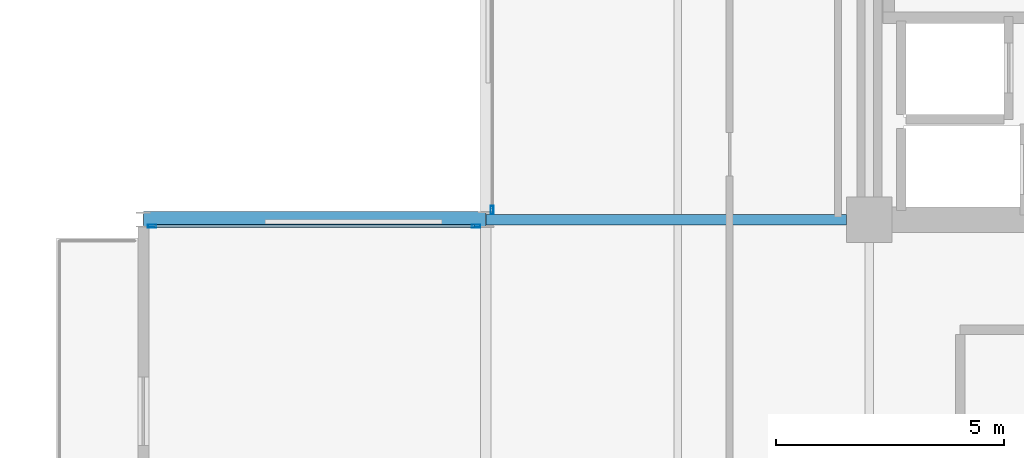
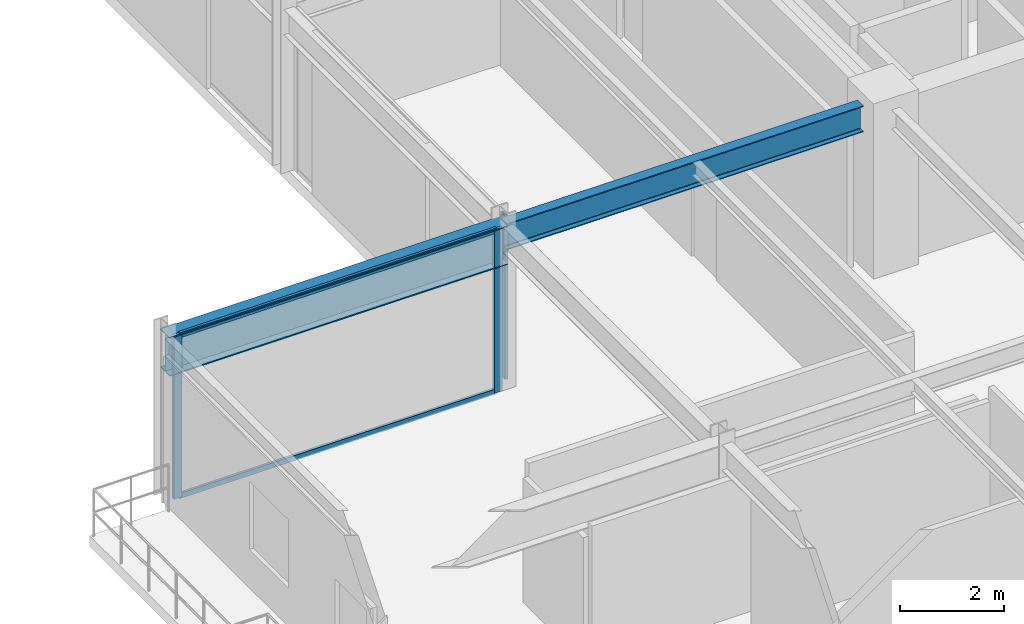
# One storey, part 9 of 29: 5 members, 2 beams, 2 elements without a shape of their own.
"""IFC4 building model written with IfcOpenShell, lengths in metres."""

import ifcopenshell
import ifcopenshell.guid

model = None  # the IFC model being written
_history = None  # IfcOwnerHistory: only IFC2X3 demands one
_inside = {}  # id of a spatial element -> (the spatial element, [elements in it])
_under = {}  # id of a project, library or spatial element -> (it, [spatial elements below it])
_declared = {}  # id of a project -> (the project, [libraries it declares])
_typed = {}  # id of a type object -> (the type object, [elements of that type])
_made_of = {}  # id of a material, layer set ... -> (it, [elements and type objects made of it])


def new_model(schema):
    """Start an empty IFC model of exactly this schema.

    Asked for "IFC4X3", IfcOpenShell would pick the latest addendum, in which some entities
    have other attributes; the version numbers below select the first issue.
    IFC2X3 requires an IfcOwnerHistory on every rooted entity: one is made here for all.
    """
    global model, _history
    if schema == "IFC4X3":
        model = ifcopenshell.file(schema_version=(4, 3, 0, 0))
    else:
        model = ifcopenshell.file(schema=schema)
    _inside.clear()
    _under.clear()
    _declared.clear()
    _typed.clear()
    _made_of.clear()
    _history = None
    if model.schema == "IFC2X3":
        org = make("IfcOrganization", Name="unknown")
        user = make(
            "IfcPersonAndOrganization",
            ThePerson=make("IfcPerson", FamilyName="unknown"),
            TheOrganization=org,
        )
        app = make(
            "IfcApplication",
            ApplicationDeveloper=org,
            Version="unknown",
            ApplicationFullName="unknown",
            ApplicationIdentifier="unknown",
        )
        _history = make(
            "IfcOwnerHistory",
            OwningUser=user,
            OwningApplication=app,
            ChangeAction="ADDED",
            CreationDate=0,
        )
    return model


def make(cls, **values):
    """One entity of the class cls with the attributes given. An attribute that is None is left unset."""
    return model.create_entity(
        cls, **{name: value for name, value in values.items() if value is not None}
    )


def rooted(cls, **values):
    """An entity with a GlobalId (a new one), such as an element, a storey or a relation."""
    return make(cls, GlobalId=ifcopenshell.guid.new(), OwnerHistory=_history, **values)


def si_unit(unit_type, name, prefix=None):
    """IfcSIUnit, for example si_unit("LENGTHUNIT", "METRE", prefix="MILLI")."""
    return make("IfcSIUnit", UnitType=unit_type, Prefix=prefix, Name=name)


def assignment(units):
    """IfcUnitAssignment: the units of a project."""
    return None if units is None else make("IfcUnitAssignment", Units=units)


def point(xyz):
    """IfcCartesianPoint."""
    return None if xyz is None else make("IfcCartesianPoint", Coordinates=xyz)


def direction(xyz):
    """IfcDirection."""
    return None if xyz is None else make("IfcDirection", DirectionRatios=xyz)


def frame(location, z_axis=None, x_axis=None):
    """IfcAxis2Placement3D, a coordinate frame: its origin and axes. An axis left out is left unset."""
    return make(
        "IfcAxis2Placement3D",
        Location=point(location),
        Axis=direction(z_axis),
        RefDirection=direction(x_axis),
    )


def frame_2d(location, x_axis=None):
    """IfcAxis2Placement2D, a coordinate frame in the plane: its origin and x axis."""
    return make(
        "IfcAxis2Placement2D", Location=point(location), RefDirection=direction(x_axis)
    )


def origin():
    """The frame at (0, 0, 0) with its axes left unset."""
    return frame((0.0, 0.0, 0.0))


def origin_2d():
    """The frame at (0, 0) in the plane with its x axis left unset."""
    return frame_2d((0.0, 0.0))


def place(relative_to, where):
    """IfcLocalPlacement: puts the frame where relative to a parent placement (None: the world)."""
    return make(
        "IfcLocalPlacement", PlacementRelTo=relative_to, RelativePlacement=where
    )


def context(
    kind, dimensions, precision=None, world=None, true_north=None, identifier=None
):
    """IfcGeometricRepresentationContext, for example the 3D "Model" context."""
    return make(
        "IfcGeometricRepresentationContext",
        ContextIdentifier=identifier,
        ContextType=kind,
        CoordinateSpaceDimension=dimensions,
        Precision=precision,
        WorldCoordinateSystem=world,
        TrueNorth=true_north,
    )


def subcontext(parent, identifier, kind, view, scale=None):
    """IfcGeometricRepresentationSubContext, for example "Body" below "Model"."""
    return make(
        "IfcGeometricRepresentationSubContext",
        ContextIdentifier=identifier,
        ContextType=kind,
        ParentContext=parent,
        TargetScale=scale,
        TargetView=view,
    )


def project(units=None, contexts=None):
    """IfcProject with its units and contexts."""
    return rooted(
        "IfcProject",
        Name="project",
        RepresentationContexts=contexts,
        UnitsInContext=assignment(units),
    )


def spatial(cls, under=None, at=None, **own):
    """A site, building, storey or space (cls), placed at a placement, below another one or the project."""
    s = rooted(cls, ObjectPlacement=at, **own)
    if under is not None:
        _under.setdefault(under.id(), (under, []))[1].append(s)
    return s


def profile(cls, at=None, kind="AREA", **sizes):
    """A parametric profile (cls). Its sizes go by their IFC names, for example OverallWidth=200.0."""
    return make(cls, ProfileType=kind, Position=at, **sizes)


def hollow_rectangle(**sizes):
    """IfcRectangleHollowProfileDef."""
    return profile("IfcRectangleHollowProfileDef", **sizes)


def i_section(**sizes):
    """IfcIShapeProfileDef."""
    return profile("IfcIShapeProfileDef", **sizes)


def extrude(swept, where, along, depth):
    """IfcExtrudedAreaSolid: the profile swept, set in the frame where, extruded along a direction by depth."""
    return make(
        "IfcExtrudedAreaSolid",
        SweptArea=swept,
        Position=where,
        ExtrudedDirection=direction(along),
        Depth=depth,
    )


def shape(context_of_items, identifier, shape_type, items):
    """IfcShapeRepresentation: the items that make up one representation, for example the "Body"."""
    return make(
        "IfcShapeRepresentation",
        ContextOfItems=context_of_items,
        RepresentationIdentifier=identifier,
        RepresentationType=shape_type,
        Items=items,
    )


def material(Name=None, Category=None):
    """IfcMaterial."""
    return make("IfcMaterial", Name=Name, Category=Category)


def layer(
    of_material, thickness, ventilated=None, Name=None, Category=None, Priority=None
):
    """IfcMaterialLayer: one layer of a wall or slab, of a material (None: an air gap)."""
    return make(
        "IfcMaterialLayer",
        Material=of_material,
        LayerThickness=thickness,
        IsVentilated=ventilated,
        Name=Name,
        Category=Category,
        Priority=Priority,
    )


def layer_set(layers, Name=None):
    """IfcMaterialLayerSet."""
    return make("IfcMaterialLayerSet", MaterialLayers=layers, LayerSetName=Name)


def material_profile(
    of_material, cross_section, Name=None, Category=None, Priority=None
):
    """IfcMaterialProfile: a cross section and its material."""
    return make(
        "IfcMaterialProfile",
        Name=Name,
        Material=of_material,
        Profile=cross_section,
        Priority=Priority,
        Category=Category,
    )


def profile_set(profiles, Name=None, composite=None):
    """IfcMaterialProfileSet."""
    return make(
        "IfcMaterialProfileSet",
        Name=Name,
        MaterialProfiles=profiles,
        CompositeProfile=composite,
    )


def made_of(thing, what):
    """Note that an element or type object is made of a material, layer set ...; save() writes the relation."""
    if what is not None:
        _made_of.setdefault(what.id(), (what, []))[1].append(thing)
    return thing


def type_object(cls, material=None, **own):
    """A type object (cls), such as IfcWallType, which elements share."""
    return made_of(rooted(cls, **own), material)


def element(
    cls,
    number,
    at=None,
    inside=None,
    cuts=None,
    type_object=None,
    material=None,
    context=None,
    identifier="Body",
    shape_type=None,
    held_by="IfcProductDefinitionShape",
    body=None,
    shapes=None,
    **own,
):
    """One element of the class cls, such as IfcWall. Its Tag is "e" and its number.

    at: its placement. inside: the storey or other place that contains it. cuts: it is an
    opening in that element (IfcRelVoidsElement). A single representation is given by context,
    identifier, shape_type and body (its items); several are given by shapes. held_by: the class
    of the entity that holds the representations. save() writes the other relations.
    """
    e = rooted(cls, Tag="e%d" % number, ObjectPlacement=at, **own)
    if body is not None:
        shapes = [shape(context, identifier, shape_type, body)]
    if shapes is not None:
        e.Representation = make(held_by, Representations=shapes)
    if inside is not None:
        _inside.setdefault(inside.id(), (inside, []))[1].append(e)
    if cuts is not None:
        rooted(
            "IfcRelVoidsElement", RelatingBuildingElement=cuts, RelatedOpeningElement=e
        )
    if type_object is not None:
        _typed.setdefault(type_object.id(), (type_object, []))[1].append(e)
    return made_of(e, material)


def aggregate(whole, parts):
    """IfcRelAggregates: a whole, such as a stair, and the parts it consists of."""
    return rooted("IfcRelAggregates", RelatingObject=whole, RelatedObjects=parts)


def save(model, path):
    """Write the relations noted so far, then the file.

    IfcRelAggregates (storeys below a building ...), IfcRelContainedInSpatialStructure (elements
    in a storey), IfcRelDefinesByType, IfcRelAssociatesMaterial and IfcRelDeclares: one each for
    every whole, place, type object, material and project.
    """
    for whole, parts in _under.values():
        aggregate(whole, parts)
    for where, things in _inside.values():
        rooted(
            "IfcRelContainedInSpatialStructure",
            RelatedElements=things,
            RelatingStructure=where,
        )
    for kind, things in _typed.values():
        rooted("IfcRelDefinesByType", RelatedObjects=things, RelatingType=kind)
    for what, things in _made_of.values():
        rooted("IfcRelAssociatesMaterial", RelatedObjects=things, RelatingMaterial=what)
    for by, libraries in _declared.values():
        rooted("IfcRelDeclares", RelatingContext=by, RelatedDefinitions=libraries)
    model.write(path)


model = new_model("IFC4")

# Units and contexts
model_context = context("Model", 3, precision=1e-05, world=origin(), true_north=direction((0.0, 1.0)))
body_context = subcontext(model_context, "Body", "Model", "MODEL_VIEW")
ifc_project = project(units=[si_unit("LENGTHUNIT", "METRE"), si_unit("AREAUNIT", "SQUARE_METRE"), si_unit("VOLUMEUNIT", "CUBIC_METRE"), si_unit("PLANEANGLEUNIT", "RADIAN"), si_unit("MASSUNIT", "GRAM", prefix="KILO")], contexts=[model_context])

# Site, building, storey
site_placement = place(None, origin())
site = spatial("IfcSite", under=ifc_project, at=site_placement, CompositionType="ELEMENT")
building_placement = place(site_placement, origin())
building = spatial("IfcBuilding", under=site, at=building_placement, Name="Nerrivon Quay Data Exchange", CompositionType="ELEMENT")
storey_placement = place(building_placement, frame((0.0, 0.0, 175.5)))
storey = spatial("IfcBuildingStorey", under=building, at=storey_placement, Name="L41", CompositionType="ELEMENT", Elevation=175.5)

# Beams
ifc_material_1 = material(Name="Steel Grade 350", Category="steel")
ifc_material_profile_1 = material_profile(ifc_material_1, i_section(OverallWidth=0.35009765625, OverallDepth=0.909912109375, WebThickness=0.011962890625, FlangeThickness=0.02490234375, at=origin_2d()), Name="900WB218")
ifc_profile_set_1 = profile_set([ifc_material_profile_1], Name="Steel Grade 350")
beam_type_1 = type_object("IfcBeamType", Name="BM-CANT-900WB", PredefinedType="USERDEFINED", material=ifc_profile_set_1)
beam_1_placement = place(storey_placement, frame((-0.010009765625, 25.199951171875, 3.3701171875), z_axis=(-1.0, 0.0, 0.0), x_axis=(0.0, -1.0, 0.0)))
element("IfcBeam", 1, at=beam_1_placement, inside=storey, type_object=beam_type_1, Name="L41 West Hooked Cantilever Girder Y=25.2", ObjectType="TRANSFER", PredefinedType="USERDEFINED", context=body_context, shape_type="SweptSolid", body=[
    extrude(i_section(OverallWidth=0.35009765625, OverallDepth=0.909912109375, WebThickness=0.011962890625, FlangeThickness=0.02490234375, at=origin_2d()), origin(), (0.0, 0.0, 1.0), 7.482177734375),
])
ifc_material_profile_2 = material_profile(ifc_material_1, i_section(OverallWidth=0.22900390625, OverallDepth=0.612060546875, WebThickness=0.011962890625, FlangeThickness=0.01953125, FilletRadius=0.013916015625, at=origin_2d()), Name="610UB125")
ifc_profile_set_2 = profile_set([ifc_material_profile_2], Name="Steel Grade 350")
beam_type_2 = type_object("IfcBeamType", Name="BM-G1-610UB125", PredefinedType="BEAM", material=ifc_profile_set_2)
beam_2_placement = place(storey_placement, frame((0.010009765625, 25.199951171875, 3.51904296875), z_axis=(1.0, 0.0, 0.0), x_axis=(0.0, 1.0, 0.0)))
element("IfcBeam", 2, at=beam_2_placement, inside=storey, type_object=beam_type_2, Name="L41 EW Girder Y=25.2 (0.0..8.4)", PredefinedType="BEAM", context=body_context, shape_type="SweptSolid", body=[
    extrude(i_section(OverallWidth=0.22900390625, OverallDepth=0.612060546875, WebThickness=0.011962890625, FlangeThickness=0.01953125, FilletRadius=0.013916015625, at=origin_2d()), origin(), (0.0, 0.0, 1.0), 7.889892578125),
])

# Curtain wall, members
ifc_material_2 = material(Name="Anodised aluminium 6063-T6", Category="aluminium")
ifc_layer_1 = layer(ifc_material_2, 0.199951171875)
ifc_layer_set_1 = layer_set([ifc_layer_1], Name="Anodised aluminium 6063-T6")
curtain_wall_type_1 = type_object("IfcCurtainWallType", Name="CW-SYS-04", PredefinedType="NOTDEFINED", material=ifc_layer_set_1)
curtain_wall_1_placement = place(storey_placement, origin())
curtain_wall_1 = element("IfcCurtainWall", 3, at=curtain_wall_1_placement, inside=storey, type_object=curtain_wall_type_1, Name="L41 Unitised Curtain Wall 3", PredefinedType="NOTDEFINED")
ifc_material_profile_3 = material_profile(ifc_material_2, hollow_rectangle(XDim=0.06494140625, YDim=0.179931640625, WallThickness=0.00341796875, at=origin_2d()), Name="ALU-MULL-180x65")
ifc_profile_set_3 = profile_set([ifc_material_profile_3], Name="Anodised aluminium 6063-T6")
member_type_1 = type_object("IfcMemberType", Name="CWM-180x65", PredefinedType="MULLION", material=ifc_profile_set_3)
member_1_placement = place(storey_placement, frame((-7.306884765625, 25.06005859375, 0.0), z_axis=(0.0, 0.0, 1.0), x_axis=(0.0, 1.0, 0.0)))
member_1 = element("IfcMember", 4, at=member_1_placement, type_object=member_type_1, Name="CW04 mullion 1", PredefinedType="MULLION", context=body_context, shape_type="SweptSolid", body=[
    extrude(hollow_rectangle(XDim=0.06494140625, YDim=0.179931640625, WallThickness=0.00341796875, at=origin_2d()), origin(), (0.0, 0.0, 1.0), 3.824951171875),
])
member_2_placement = place(storey_placement, frame((-0.21240234375, 25.06005859375, 0.0), z_axis=(0.0, 0.0, 1.0), x_axis=(0.0, 1.0, 0.0)))
member_2 = element("IfcMember", 5, at=member_2_placement, type_object=member_type_1, Name="CW04 mullion 2", PredefinedType="MULLION", context=body_context, shape_type="SweptSolid", body=[
    extrude(hollow_rectangle(XDim=0.06494140625, YDim=0.179931640625, WallThickness=0.00341796875, at=origin_2d()), origin(), (0.0, 0.0, 1.0), 3.824951171875),
])

# Curtain wall, member
ifc_layer_2 = layer(ifc_material_2, 0.195068359375)
ifc_layer_set_2 = layer_set([ifc_layer_2], Name="Anodised aluminium 6063-T6")
curtain_wall_type_2 = type_object("IfcCurtainWallType", Name="CW-SYS-06", PredefinedType="NOTDEFINED", material=ifc_layer_set_2)
curtain_wall_2_placement = place(storey_placement, origin())
curtain_wall_2 = element("IfcCurtainWall", 6, at=curtain_wall_2_placement, inside=storey, type_object=curtain_wall_type_2, Name="L41 Unitised Curtain Wall 4", PredefinedType="NOTDEFINED")
member_3_placement = place(storey_placement, frame((0.139892578125, 25.41259765625, 0.0), z_axis=(0.0, 0.0, 1.0), x_axis=(-1.0, 0.0, 0.0)))
member_3 = element("IfcMember", 7, at=member_3_placement, type_object=member_type_1, Name="CW06 mullion 1", PredefinedType="MULLION", context=body_context, shape_type="SweptSolid", body=[
    extrude(hollow_rectangle(XDim=0.06494140625, YDim=0.179931640625, WallThickness=0.00341796875, at=origin_2d()), origin(), (0.0, 0.0, 1.0), 3.824951171875),
])
aggregate(curtain_wall_2, [member_3])

# Member
ifc_material_profile_4 = material_profile(ifc_material_2, hollow_rectangle(XDim=0.06005859375, YDim=0.1201171875, WallThickness=0.003173828125, at=origin_2d()), Name="ALU-TRAN-120x60")
ifc_profile_set_4 = profile_set([ifc_material_profile_4], Name="Anodised aluminium 6063-T6")
member_type_2 = type_object("IfcMemberType", Name="CWT-120x60", PredefinedType="USERDEFINED", material=ifc_profile_set_4)
member_4_placement = place(storey_placement, frame((-7.26953125, 25.06005859375, 0.032470703125), z_axis=(1.0, 0.0, 0.0), x_axis=(0.0, 1.0, 0.0)))
member_4 = element("IfcMember", 8, at=member_4_placement, type_object=member_type_2, Name="CW04 transom 1.1", ObjectType="TRANSOM", PredefinedType="USERDEFINED", context=body_context, shape_type="SweptSolid", body=[
    extrude(hollow_rectangle(XDim=0.06005859375, YDim=0.1201171875, WallThickness=0.003173828125, at=origin_2d()), origin(), (0.0, 0.0, 1.0), 7.01953125),
])

member_5_placement = place(storey_placement, frame((-7.26953125, 25.06005859375, 3.79248046875), z_axis=(1.0, 0.0, 0.0), x_axis=(0.0, 1.0, 0.0)))
member_5 = element("IfcMember", 9, at=member_5_placement, type_object=member_type_2, Name="CW04 transom 1.2", ObjectType="TRANSOM", PredefinedType="USERDEFINED", context=body_context, shape_type="SweptSolid", body=[
    extrude(hollow_rectangle(XDim=0.06005859375, YDim=0.1201171875, WallThickness=0.003173828125, at=origin_2d()), origin(), (0.0, 0.0, 1.0), 7.01953125),
])

aggregate(curtain_wall_1, [member_1, member_2, member_4, member_5])

save(model, "model.ifc")
